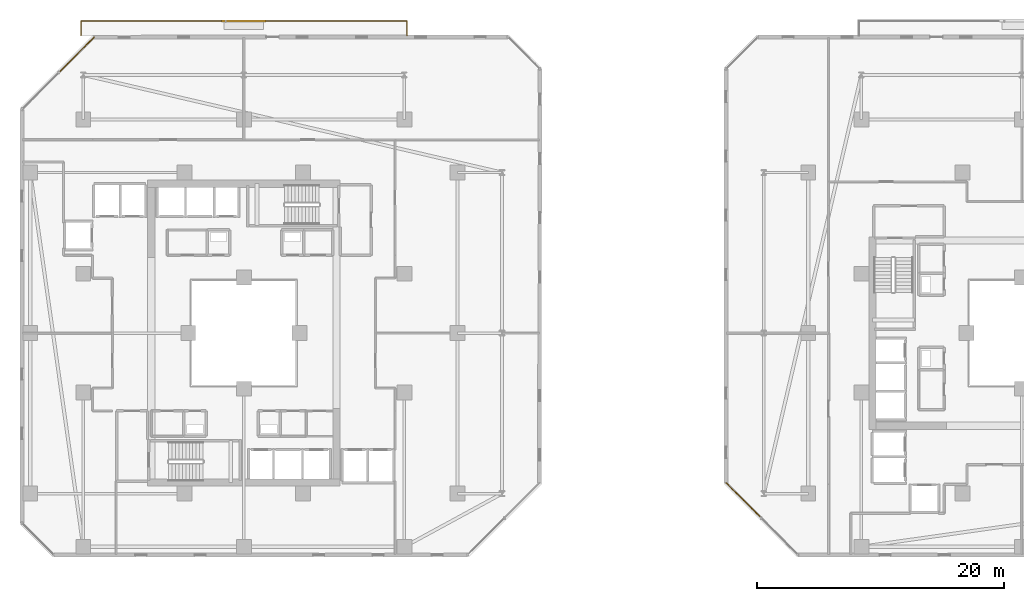
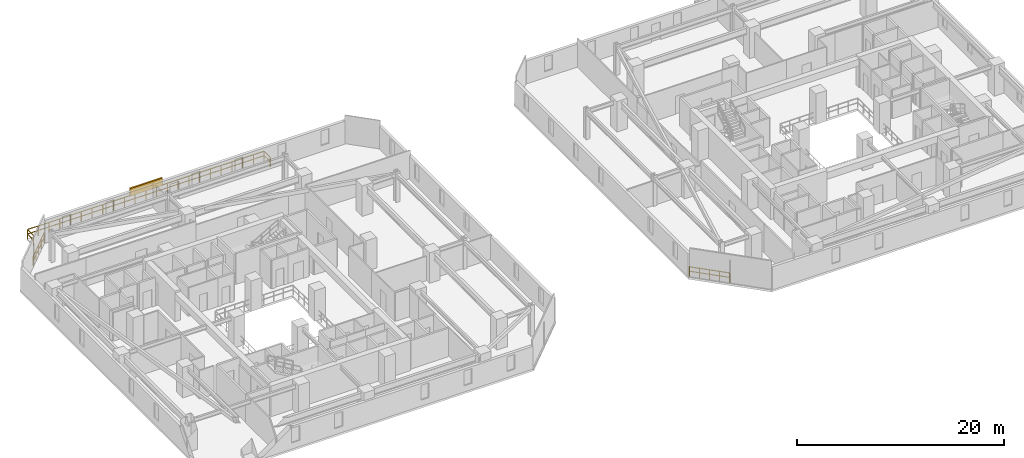
# One storey, part 28 of 30: 3 railings, 1 shading device.
"""IFC4 building model written with IfcOpenShell, lengths in metres."""

from ifc_helpers import new_model, si_unit, direction, frame, origin, origin_2d, place, context, subcontext, project, spatial, rectangle, extrude, material, type_object, element, save


model = new_model("IFC4")

# Units and contexts
model_context = context("Model", 3, precision=1e-05, world=origin(), true_north=direction((0.0, 1.0)))
body_context = subcontext(model_context, "Body", "Model", "MODEL_VIEW")
ifc_project = project(units=[si_unit("LENGTHUNIT", "METRE"), si_unit("AREAUNIT", "SQUARE_METRE"), si_unit("VOLUMEUNIT", "CUBIC_METRE"), si_unit("PLANEANGLEUNIT", "RADIAN"), si_unit("MASSUNIT", "GRAM", prefix="KILO")], contexts=[model_context])

# Site, building, storey
site_placement = place(None, origin())
site = spatial("IfcSite", under=ifc_project, at=site_placement, CompositionType="ELEMENT")
building_placement = place(site_placement, origin())
building = spatial("IfcBuilding", under=site, at=building_placement, Name="Thornwick Lancets Civic Towers", CompositionType="ELEMENT")
storey_placement = place(building_placement, frame((0.0, 0.0, 80.10009765625)))
storey = spatial("IfcBuildingStorey", under=building, at=storey_placement, Name="L20", CompositionType="ELEMENT", Elevation=80.10009765625)

# Railings
ifc_material_1 = material(Name="Terracotta-capped laminated glass balustrade S355", Category="masonry")
railing_type = type_object("IfcRailingType", Name="RAIL_TERR_GUARD", PredefinedType="GUARDRAIL", material=ifc_material_1)
railing_1_placement = place(storey_placement, frame((13.37841796875, 50.9541015625, 0.0)))
element("IfcRailing", 1, at=railing_1_placement, inside=storey, type_object=railing_type, Name="L20 Tower A Chamfer Spandrel Guard E5-1", PredefinedType="GUARDRAIL", context=body_context, shape_type="SweptSolid", body=[
    extrude(rectangle(XDim=0.048095703125, YDim=0.048095703125, at=origin_2d()), frame((0.0, 0.0, 1.1259765625), z_axis=(-0.707106781187, -0.707106781187, 0.0), x_axis=(0.707106781187, -0.707106781187, 0.0)), (0.0, 0.0, 1.0), 4.03076171875),
    extrude(rectangle(XDim=0.0419921875, YDim=0.0419921875, at=origin_2d()), frame((-0.026611328125, -0.026611328125, 0.597900390625), z_axis=(-0.707106781187, -0.707106781187, 0.0), x_axis=(0.707106781187, -0.707106781187, 0.0)), (0.0, 0.0, 1.0), 0.9326171875),
    extrude(rectangle(XDim=0.0419921875, YDim=0.0419921875, at=origin_2d()), frame((-0.739013671875, -0.739013671875, 0.597900390625), z_axis=(-0.707106781187, -0.707106781187, 0.0), x_axis=(0.707106781187, -0.707106781187, 0.0)), (0.0, 0.0, 1.0), 0.9326171875),
    extrude(rectangle(XDim=0.0419921875, YDim=0.0419921875, at=origin_2d()), frame((-1.45166015625, -1.45166015625, 0.597900390625), z_axis=(-0.707106781187, -0.707106781187, 0.0), x_axis=(0.707106781187, -0.707106781187, 0.0)), (0.0, 0.0, 1.0), 0.9326171875),
    extrude(rectangle(XDim=0.0419921875, YDim=0.0419921875, at=origin_2d()), frame((-2.1640625, -2.1640625, 0.597900390625), z_axis=(-0.707106781187, -0.707106781187, 0.0), x_axis=(0.707106781187, -0.707106781187, 0.0)), (0.0, 0.0, 1.0), 0.9326171875),
    extrude(rectangle(XDim=0.0419921875, YDim=0.0419921875, at=origin_2d()), origin(), (0.0, 0.0, 1.0), 1.095703125),
    extrude(rectangle(XDim=0.0419921875, YDim=0.0419921875, at=origin_2d()), frame((-0.71240234375, -0.71240234375, 0.0)), (0.0, 0.0, 1.0), 1.095703125),
    extrude(rectangle(XDim=0.0419921875, YDim=0.0419921875, at=origin_2d()), frame((-1.425048828125, -1.425048828125, 0.0)), (0.0, 0.0, 1.0), 1.095703125),
    extrude(rectangle(XDim=0.0419921875, YDim=0.0419921875, at=origin_2d()), frame((-2.1376953125, -2.1376953125, 0.0)), (0.0, 0.0, 1.0), 1.095703125),
    extrude(rectangle(XDim=0.0419921875, YDim=0.0419921875, at=origin_2d()), frame((-2.85009765625, -2.85009765625, 0.0)), (0.0, 0.0, 1.0), 1.095703125),
])
railing_2_placement = place(storey_placement, frame((12.300048828125, 51.10009765625, 0.0)))
element("IfcRailing", 2, at=railing_2_placement, inside=storey, type_object=railing_type, Name="L20 Tower A Balcony Guard N", PredefinedType="GUARDRAIL", context=body_context, shape_type="SweptSolid", body=[
    extrude(rectangle(XDim=0.048095703125, YDim=0.048095703125, at=origin_2d()), frame((0.0, 0.0, 1.1259765625), z_axis=(0.0, 1.0, 0.0), x_axis=(-1.0, 0.0, 0.0)), (0.0, 0.0, 1.0), 1.138671875),
    extrude(rectangle(XDim=0.0419921875, YDim=0.0419921875, at=origin_2d()), frame((0.0, 0.03759765625, 0.597900390625), z_axis=(0.0, 1.0, 0.0), x_axis=(-1.0, 0.0, 0.0)), (0.0, 0.0, 1.0), 1.094970703125),
    extrude(rectangle(XDim=0.048095703125, YDim=0.048095703125, at=origin_2d()), frame((0.03125, 1.169921875, 1.1259765625), z_axis=(1.0, 0.0, 0.0), x_axis=(0.0, 1.0, 0.0)), (0.0, 0.0, 1.0), 26.33740234375),
    extrude(rectangle(XDim=0.0419921875, YDim=0.0419921875, at=origin_2d()), frame((0.03759765625, 1.169921875, 0.597900390625), z_axis=(1.0, 0.0, 0.0), x_axis=(0.0, 1.0, 0.0)), (0.0, 0.0, 1.0), 1.125),
    extrude(rectangle(XDim=0.0419921875, YDim=0.0419921875, at=origin_2d()), frame((1.237548828125, 1.169921875, 0.597900390625), z_axis=(1.0, 0.0, 0.0), x_axis=(0.0, 1.0, 0.0)), (0.0, 0.0, 1.0), 1.125),
    extrude(rectangle(XDim=0.0419921875, YDim=0.0419921875, at=origin_2d()), frame((2.4375, 1.169921875, 0.597900390625), z_axis=(1.0, 0.0, 0.0), x_axis=(0.0, 1.0, 0.0)), (0.0, 0.0, 1.0), 1.125),
    extrude(rectangle(XDim=0.0419921875, YDim=0.0419921875, at=origin_2d()), frame((3.637451171875, 1.169921875, 0.597900390625), z_axis=(1.0, 0.0, 0.0), x_axis=(0.0, 1.0, 0.0)), (0.0, 0.0, 1.0), 1.125),
    extrude(rectangle(XDim=0.0419921875, YDim=0.0419921875, at=origin_2d()), frame((4.83740234375, 1.169921875, 0.597900390625), z_axis=(1.0, 0.0, 0.0), x_axis=(0.0, 1.0, 0.0)), (0.0, 0.0, 1.0), 1.125),
    extrude(rectangle(XDim=0.0419921875, YDim=0.0419921875, at=origin_2d()), frame((6.037353515625, 1.169921875, 0.597900390625), z_axis=(1.0, 0.0, 0.0), x_axis=(0.0, 1.0, 0.0)), (0.0, 0.0, 1.0), 1.125),
    extrude(rectangle(XDim=0.0419921875, YDim=0.0419921875, at=origin_2d()), frame((7.237548828125, 1.169921875, 0.597900390625), z_axis=(1.0, 0.0, 0.0), x_axis=(0.0, 1.0, 0.0)), (0.0, 0.0, 1.0), 1.125),
    extrude(rectangle(XDim=0.0419921875, YDim=0.0419921875, at=origin_2d()), frame((8.4375, 1.169921875, 0.597900390625), z_axis=(1.0, 0.0, 0.0), x_axis=(0.0, 1.0, 0.0)), (0.0, 0.0, 1.0), 1.125),
    extrude(rectangle(XDim=0.0419921875, YDim=0.0419921875, at=origin_2d()), frame((9.637451171875, 1.169921875, 0.597900390625), z_axis=(1.0, 0.0, 0.0), x_axis=(0.0, 1.0, 0.0)), (0.0, 0.0, 1.0), 1.125),
    extrude(rectangle(XDim=0.0419921875, YDim=0.0419921875, at=origin_2d()), frame((10.83740234375, 1.169921875, 0.597900390625), z_axis=(1.0, 0.0, 0.0), x_axis=(0.0, 1.0, 0.0)), (0.0, 0.0, 1.0), 1.125),
    extrude(rectangle(XDim=0.0419921875, YDim=0.0419921875, at=origin_2d()), frame((12.037353515625, 1.169921875, 0.597900390625), z_axis=(1.0, 0.0, 0.0), x_axis=(0.0, 1.0, 0.0)), (0.0, 0.0, 1.0), 1.125),
    extrude(rectangle(XDim=0.0419921875, YDim=0.0419921875, at=origin_2d()), frame((13.237548828125, 1.169921875, 0.597900390625), z_axis=(1.0, 0.0, 0.0), x_axis=(0.0, 1.0, 0.0)), (0.0, 0.0, 1.0), 1.125),
    extrude(rectangle(XDim=0.0419921875, YDim=0.0419921875, at=origin_2d()), frame((14.4375, 1.169921875, 0.597900390625), z_axis=(1.0, 0.0, 0.0), x_axis=(0.0, 1.0, 0.0)), (0.0, 0.0, 1.0), 1.125),
    extrude(rectangle(XDim=0.0419921875, YDim=0.0419921875, at=origin_2d()), frame((15.637451171875, 1.169921875, 0.597900390625), z_axis=(1.0, 0.0, 0.0), x_axis=(0.0, 1.0, 0.0)), (0.0, 0.0, 1.0), 1.125),
    extrude(rectangle(XDim=0.0419921875, YDim=0.0419921875, at=origin_2d()), frame((16.83740234375, 1.169921875, 0.597900390625), z_axis=(1.0, 0.0, 0.0), x_axis=(0.0, 1.0, 0.0)), (0.0, 0.0, 1.0), 1.125),
    extrude(rectangle(XDim=0.0419921875, YDim=0.0419921875, at=origin_2d()), frame((18.037353515625, 1.169921875, 0.597900390625), z_axis=(1.0, 0.0, 0.0), x_axis=(0.0, 1.0, 0.0)), (0.0, 0.0, 1.0), 1.125),
    extrude(rectangle(XDim=0.0419921875, YDim=0.0419921875, at=origin_2d()), frame((19.2373046875, 1.169921875, 0.597900390625), z_axis=(1.0, 0.0, 0.0), x_axis=(0.0, 1.0, 0.0)), (0.0, 0.0, 1.0), 1.125),
    extrude(rectangle(XDim=0.0419921875, YDim=0.0419921875, at=origin_2d()), frame((20.4375, 1.169921875, 0.597900390625), z_axis=(1.0, 0.0, 0.0), x_axis=(0.0, 1.0, 0.0)), (0.0, 0.0, 1.0), 1.125),
    extrude(rectangle(XDim=0.0419921875, YDim=0.0419921875, at=origin_2d()), frame((21.637451171875, 1.169921875, 0.597900390625), z_axis=(1.0, 0.0, 0.0), x_axis=(0.0, 1.0, 0.0)), (0.0, 0.0, 1.0), 1.125),
    extrude(rectangle(XDim=0.0419921875, YDim=0.0419921875, at=origin_2d()), frame((22.83740234375, 1.169921875, 0.597900390625), z_axis=(1.0, 0.0, 0.0), x_axis=(0.0, 1.0, 0.0)), (0.0, 0.0, 1.0), 1.125),
    extrude(rectangle(XDim=0.0419921875, YDim=0.0419921875, at=origin_2d()), frame((24.037353515625, 1.169921875, 0.597900390625), z_axis=(1.0, 0.0, 0.0), x_axis=(0.0, 1.0, 0.0)), (0.0, 0.0, 1.0), 1.125),
    extrude(rectangle(XDim=0.0419921875, YDim=0.0419921875, at=origin_2d()), frame((25.2373046875, 1.169921875, 0.597900390625), z_axis=(1.0, 0.0, 0.0), x_axis=(0.0, 1.0, 0.0)), (0.0, 0.0, 1.0), 1.125),
    extrude(rectangle(XDim=0.048095703125, YDim=0.048095703125, at=origin_2d()), frame((26.39990234375, 1.138671875, 1.1259765625), z_axis=(0.0, -1.0, 0.0), x_axis=(1.0, 0.0, 0.0)), (0.0, 0.0, 1.0), 1.138671875),
    extrude(rectangle(XDim=0.0419921875, YDim=0.0419921875, at=origin_2d()), frame((26.39990234375, 1.13232421875, 0.597900390625), z_axis=(0.0, -1.0, 0.0), x_axis=(1.0, 0.0, 0.0)), (0.0, 0.0, 1.0), 1.094970703125),
    extrude(rectangle(XDim=0.0419921875, YDim=0.0419921875, at=origin_2d()), origin(), (0.0, 0.0, 1.0), 1.095703125),
    extrude(rectangle(XDim=0.0419921875, YDim=0.0419921875, at=origin_2d()), frame((0.0, 1.169921875, 0.0)), (0.0, 0.0, 1.0), 1.095703125),
    extrude(rectangle(XDim=0.0419921875, YDim=0.0419921875, at=origin_2d()), frame((1.199951171875, 1.169921875, 0.0)), (0.0, 0.0, 1.0), 1.095703125),
    extrude(rectangle(XDim=0.0419921875, YDim=0.0419921875, at=origin_2d()), frame((2.39990234375, 1.169921875, 0.0)), (0.0, 0.0, 1.0), 1.095703125),
    extrude(rectangle(XDim=0.0419921875, YDim=0.0419921875, at=origin_2d()), frame((3.60009765625, 1.169921875, 0.0)), (0.0, 0.0, 1.0), 1.095703125),
    extrude(rectangle(XDim=0.0419921875, YDim=0.0419921875, at=origin_2d()), frame((4.800048828125, 1.169921875, 0.0)), (0.0, 0.0, 1.0), 1.095703125),
    extrude(rectangle(XDim=0.0419921875, YDim=0.0419921875, at=origin_2d()), frame((6.0, 1.169921875, 0.0)), (0.0, 0.0, 1.0), 1.095703125),
    extrude(rectangle(XDim=0.0419921875, YDim=0.0419921875, at=origin_2d()), frame((7.199951171875, 1.169921875, 0.0)), (0.0, 0.0, 1.0), 1.095703125),
    extrude(rectangle(XDim=0.0419921875, YDim=0.0419921875, at=origin_2d()), frame((8.39990234375, 1.169921875, 0.0)), (0.0, 0.0, 1.0), 1.095703125),
    extrude(rectangle(XDim=0.0419921875, YDim=0.0419921875, at=origin_2d()), frame((9.599853515625, 1.169921875, 0.0)), (0.0, 0.0, 1.0), 1.095703125),
    extrude(rectangle(XDim=0.0419921875, YDim=0.0419921875, at=origin_2d()), frame((10.800048828125, 1.169921875, 0.0)), (0.0, 0.0, 1.0), 1.095703125),
    extrude(rectangle(XDim=0.0419921875, YDim=0.0419921875, at=origin_2d()), frame((12.0, 1.169921875, 0.0)), (0.0, 0.0, 1.0), 1.095703125),
    extrude(rectangle(XDim=0.0419921875, YDim=0.0419921875, at=origin_2d()), frame((13.199951171875, 1.169921875, 0.0)), (0.0, 0.0, 1.0), 1.095703125),
    extrude(rectangle(XDim=0.0419921875, YDim=0.0419921875, at=origin_2d()), frame((14.39990234375, 1.169921875, 0.0)), (0.0, 0.0, 1.0), 1.095703125),
    extrude(rectangle(XDim=0.0419921875, YDim=0.0419921875, at=origin_2d()), frame((15.599853515625, 1.169921875, 0.0)), (0.0, 0.0, 1.0), 1.095703125),
    extrude(rectangle(XDim=0.0419921875, YDim=0.0419921875, at=origin_2d()), frame((16.800048828125, 1.169921875, 0.0)), (0.0, 0.0, 1.0), 1.095703125),
    extrude(rectangle(XDim=0.0419921875, YDim=0.0419921875, at=origin_2d()), frame((18.0, 1.169921875, 0.0)), (0.0, 0.0, 1.0), 1.095703125),
    extrude(rectangle(XDim=0.0419921875, YDim=0.0419921875, at=origin_2d()), frame((19.199951171875, 1.169921875, 0.0)), (0.0, 0.0, 1.0), 1.095703125),
    extrude(rectangle(XDim=0.0419921875, YDim=0.0419921875, at=origin_2d()), frame((20.39990234375, 1.169921875, 0.0)), (0.0, 0.0, 1.0), 1.095703125),
    extrude(rectangle(XDim=0.0419921875, YDim=0.0419921875, at=origin_2d()), frame((21.599853515625, 1.169921875, 0.0)), (0.0, 0.0, 1.0), 1.095703125),
    extrude(rectangle(XDim=0.0419921875, YDim=0.0419921875, at=origin_2d()), frame((22.7998046875, 1.169921875, 0.0)), (0.0, 0.0, 1.0), 1.095703125),
    extrude(rectangle(XDim=0.0419921875, YDim=0.0419921875, at=origin_2d()), frame((24.0, 1.169921875, 0.0)), (0.0, 0.0, 1.0), 1.095703125),
    extrude(rectangle(XDim=0.0419921875, YDim=0.0419921875, at=origin_2d()), frame((25.199951171875, 1.169921875, 0.0)), (0.0, 0.0, 1.0), 1.095703125),
    extrude(rectangle(XDim=0.0419921875, YDim=0.0419921875, at=origin_2d()), frame((26.39990234375, 1.169921875, 0.0)), (0.0, 0.0, 1.0), 1.095703125),
    extrude(rectangle(XDim=0.0419921875, YDim=0.0419921875, at=origin_2d()), frame((26.39990234375, 0.0, 0.0)), (0.0, 0.0, 1.0), 1.095703125),
])
railing_3_placement = place(storey_placement, frame((64.5458984375, 14.87841796875, 0.0)))
element("IfcRailing", 3, at=railing_3_placement, inside=storey, type_object=railing_type, Name="L20 Tower B Chamfer Spandrel Guard E7-1", PredefinedType="GUARDRAIL", context=body_context, shape_type="SweptSolid", body=[
    extrude(rectangle(XDim=0.048095703125, YDim=0.048095703125, at=origin_2d()), frame((0.0, 0.0, 1.1259765625), z_axis=(0.707106781187, -0.707106781187, 0.0), x_axis=(0.707106781187, 0.707106781187, 0.0)), (0.0, 0.0, 1.0), 4.03076171875),
    extrude(rectangle(XDim=0.0419921875, YDim=0.0419921875, at=origin_2d()), frame((0.026611328125, -0.026611328125, 0.597900390625), z_axis=(0.707106781187, -0.707106781187, 0.0), x_axis=(0.707106781187, 0.707106781187, 0.0)), (0.0, 0.0, 1.0), 0.9326171875),
    extrude(rectangle(XDim=0.0419921875, YDim=0.0419921875, at=origin_2d()), frame((0.739013671875, -0.739013671875, 0.597900390625), z_axis=(0.707106781187, -0.707106781187, 0.0), x_axis=(0.707106781187, 0.707106781187, 0.0)), (0.0, 0.0, 1.0), 0.9326171875),
    extrude(rectangle(XDim=0.0419921875, YDim=0.0419921875, at=origin_2d()), frame((1.45166015625, -1.45166015625, 0.597900390625), z_axis=(0.707106781187, -0.707106781187, 0.0), x_axis=(0.707106781187, 0.707106781187, 0.0)), (0.0, 0.0, 1.0), 0.9326171875),
    extrude(rectangle(XDim=0.0419921875, YDim=0.0419921875, at=origin_2d()), frame((2.1640625, -2.1640625, 0.597900390625), z_axis=(0.707106781187, -0.707106781187, 0.0), x_axis=(0.707106781187, 0.707106781187, 0.0)), (0.0, 0.0, 1.0), 0.9326171875),
    extrude(rectangle(XDim=0.0419921875, YDim=0.0419921875, at=origin_2d()), origin(), (0.0, 0.0, 1.0), 1.095703125),
    extrude(rectangle(XDim=0.0419921875, YDim=0.0419921875, at=origin_2d()), frame((0.71240234375, -0.71240234375, 0.0)), (0.0, 0.0, 1.0), 1.095703125),
    extrude(rectangle(XDim=0.0419921875, YDim=0.0419921875, at=origin_2d()), frame((1.425048828125, -1.425048828125, 0.0)), (0.0, 0.0, 1.0), 1.095703125),
    extrude(rectangle(XDim=0.0419921875, YDim=0.0419921875, at=origin_2d()), frame((2.1376953125, -2.1376953125, 0.0)), (0.0, 0.0, 1.0), 1.095703125),
    extrude(rectangle(XDim=0.0419921875, YDim=0.0419921875, at=origin_2d()), frame((2.85009765625, -2.85009765625, 0.0)), (0.0, 0.0, 1.0), 1.095703125),
])

# Shading device
ifc_material_2 = material(Name="Extruded terracotta baguette solar screen", Category="masonry")
shading_device_type = type_object("IfcShadingDeviceType", Name="SHADE_BAGUETTE", PredefinedType="JALOUSIE", material=ifc_material_2)
shading_device_placement = place(storey_placement, frame((25.5, 52.260009765625, 1.119873046875), z_axis=(0.0, 0.0, 1.0), x_axis=(1.0, 0.0, 0.0)))
element("IfcShadingDevice", 4, at=shading_device_placement, inside=storey, type_object=shading_device_type, Name="L20 Tower A Terracotta Baguette Screen N", PredefinedType="JALOUSIE", context=body_context, shape_type="SweptSolid", body=[
    extrude(rectangle(XDim=3.60009765625, YDim=0.179931640625, at=origin_2d()), origin(), (0.0, 0.0, 1.0), 0.89990234375),
])

save(model, "model.ifc")
